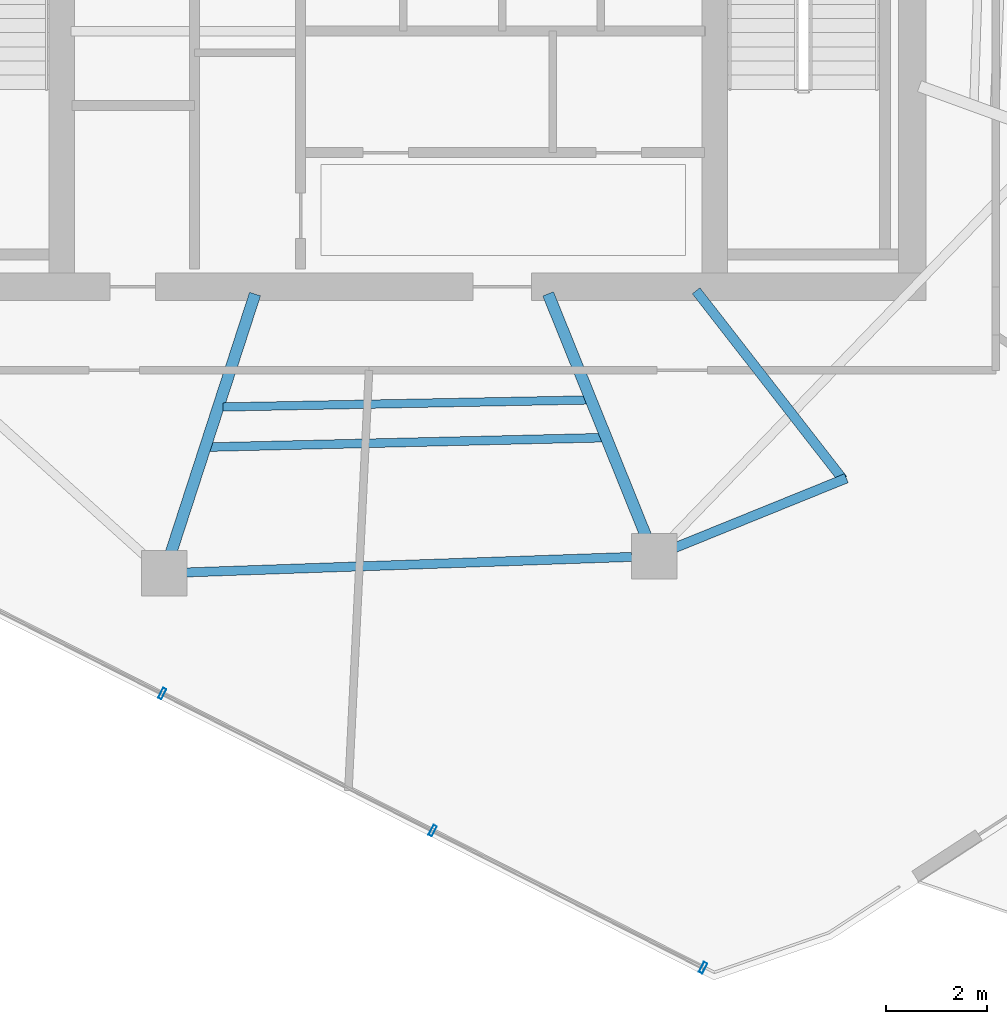
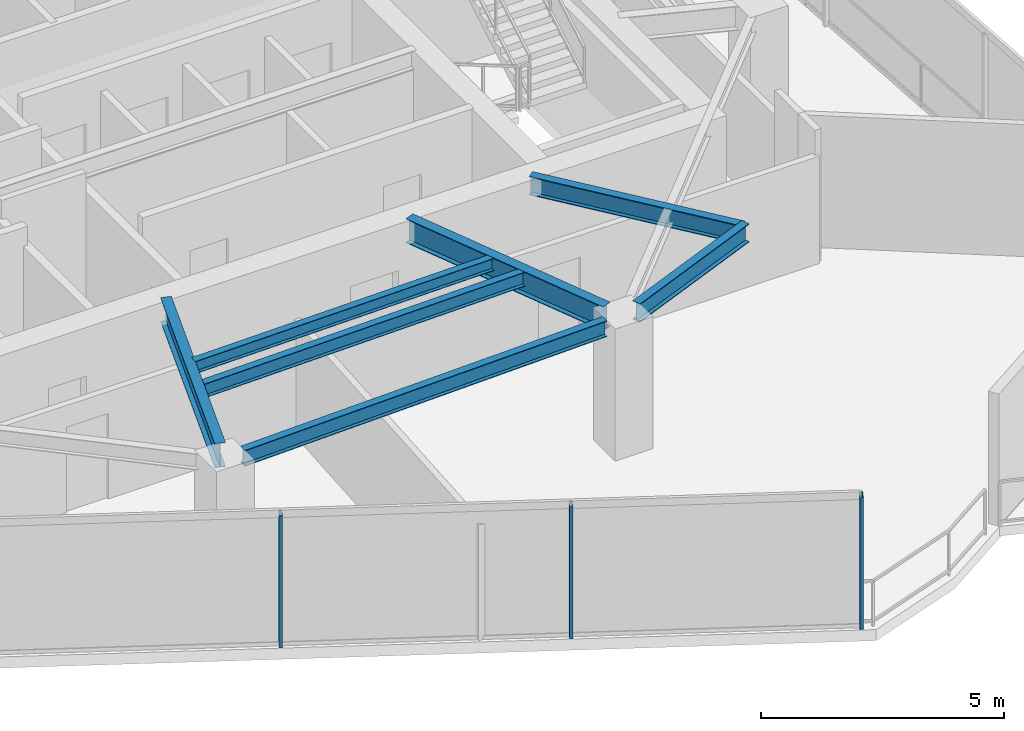
# One storey, part 3 of 18: 7 beams, 3 members, 1 element without a shape of its own.
"""IFC4 building model written with IfcOpenShell, lengths in metres."""

from ifc_helpers import new_model, si_unit, direction, frame, origin, origin_2d, place, context, subcontext, project, spatial, hollow_rectangle, i_section, extrude, material, layer, layer_set, material_profile, profile_set, type_object, element, aggregate, save


model = new_model("IFC4")

# Units and contexts
model_context = context("Model", 3, precision=1e-05, world=origin(), true_north=direction((0.0, 1.0)))
body_context = subcontext(model_context, "Body", "Model", "MODEL_VIEW")
ifc_project = project(units=[si_unit("LENGTHUNIT", "METRE"), si_unit("AREAUNIT", "SQUARE_METRE"), si_unit("VOLUMEUNIT", "CUBIC_METRE"), si_unit("PLANEANGLEUNIT", "RADIAN"), si_unit("MASSUNIT", "GRAM", prefix="KILO")], contexts=[model_context])

# Site, building, storey
site_placement = place(None, origin())
site = spatial("IfcSite", under=ifc_project, at=site_placement, CompositionType="ELEMENT")
building_placement = place(site_placement, origin())
building = spatial("IfcBuilding", under=site, at=building_placement, Name="Qarnah Convention Tower", CompositionType="ELEMENT")
storey_placement = place(building_placement, frame((0.0, 0.0, 191.39990234375)))
storey = spatial("IfcBuildingStorey", under=building, at=storey_placement, Name="L51", CompositionType="ELEMENT", Elevation=191.39990234375)

# Beams
ifc_material_1 = material(Name="Structural steel S355JR", Category="steel")
ifc_material_profile_1 = material_profile(ifc_material_1, i_section(OverallWidth=0.19189453125, OverallDepth=0.464111328125, WebThickness=0.010986328125, FlangeThickness=0.01806640625, at=origin_2d()), Name="W460X89")
ifc_profile_set_1 = profile_set([ifc_material_profile_1], Name="Structural steel S355JR")
beam_type_1 = type_object("IfcBeamType", Name="BM-CANT-W460A", PredefinedType="BEAM", material=ifc_profile_set_1)
beam_1_placement = place(storey_placement, frame((43.3310546875, 18.52099609375, 3.088134765625), z_axis=(0.614241094698, -0.789118417973, 0.0), x_axis=(0.789118417973, 0.614241094698, 0.0)))
element("IfcBeam", 1, at=beam_1_placement, inside=storey, type_object=beam_type_1, Name="L51 beam BM-L51-CNT-03-1", PredefinedType="BEAM", context=body_context, shape_type="SweptSolid", body=[
    extrude(i_section(OverallWidth=0.19189453125, OverallDepth=0.464111328125, WebThickness=0.010986328125, FlangeThickness=0.01806640625, at=origin_2d()), origin(), (0.0, 0.0, 1.0), 4.724365234375),
])
beam_2_placement = place(storey_placement, frame((46.298095703125, 14.819091796875, 3.088134765625), z_axis=(-0.926735498901, -0.375714406268, 0.0), x_axis=(0.375714406268, -0.926735498901, 0.0)))
element("IfcBeam", 2, at=beam_2_placement, inside=storey, type_object=beam_type_1, Name="L51 spandrel BM-L51-CTIE-03", PredefinedType="SPANDREL", context=body_context, shape_type="SweptSolid", body=[
    extrude(i_section(OverallWidth=0.19189453125, OverallDepth=0.464111328125, WebThickness=0.010986328125, FlangeThickness=0.01806640625, at=origin_2d()), origin(), (0.0, 0.0, 1.0), 3.656982421875),
])
ifc_material_profile_2 = material_profile(ifc_material_1, i_section(OverallWidth=0.166015625, OverallDepth=0.31201171875, WebThickness=0.007080078125, FlangeThickness=0.010986328125, at=origin_2d()), Name="W310X45")
ifc_profile_set_2 = profile_set([ifc_material_profile_2], Name="Structural steel S355JR")
beam_type_2 = type_object("IfcBeamType", Name="BM-JST-W310", PredefinedType="JOIST", material=ifc_profile_set_2)
beam_3_placement = place(storey_placement, frame((33.98291015625, 16.22607421875, 3.1640625), z_axis=(0.999815617166, 0.0192023871, 0.0), x_axis=(-0.0192023871, 0.999815617166, 0.0)))
element("IfcBeam", 3, at=beam_3_placement, inside=storey, type_object=beam_type_2, Name="L51 joist BM-L51-IJST-07", PredefinedType="JOIST", context=body_context, shape_type="SweptSolid", body=[
    extrude(i_section(OverallWidth=0.166015625, OverallDepth=0.31201171875, WebThickness=0.007080078125, FlangeThickness=0.010986328125, at=origin_2d()), origin(), (0.0, 0.0, 1.0), 7.183349609375),
])
ifc_material_profile_3 = material_profile(ifc_material_1, i_section(OverallWidth=0.172119140625, OverallDepth=0.35595703125, WebThickness=0.007080078125, FlangeThickness=0.011962890625, at=origin_2d()), Name="W360X51")
ifc_profile_set_3 = profile_set([ifc_material_profile_3], Name="Structural steel S355JR")
beam_type_3 = type_object("IfcBeamType", Name="BM-JST-W360", PredefinedType="JOIST", material=ifc_profile_set_3)
beam_4_placement = place(storey_placement, frame((33.72607421875, 15.43408203125, 3.14208984375), z_axis=(0.999714973703, 0.023874072844, 0.0), x_axis=(-0.023874072844, 0.999714973703, 0.0)))
element("IfcBeam", 4, at=beam_4_placement, inside=storey, type_object=beam_type_3, Name="L51 joist BM-L51-SJST-07", PredefinedType="JOIST", context=body_context, shape_type="SweptSolid", body=[
    extrude(i_section(OverallWidth=0.172119140625, OverallDepth=0.35595703125, WebThickness=0.007080078125, FlangeThickness=0.011962890625, at=origin_2d()), origin(), (0.0, 0.0, 1.0), 7.7412109375),
])
ifc_material_profile_4 = material_profile(ifc_material_1, i_section(OverallWidth=0.22802734375, OverallDepth=0.60791015625, WebThickness=0.010986328125, FlangeThickness=0.01708984375, at=origin_2d()), Name="W610X113")
ifc_profile_set_4 = profile_set([ifc_material_profile_4], Name="Structural steel S355JR")
beam_type_4 = type_object("IfcBeamType", Name="BM-RAD-W610B", PredefinedType="BEAM", material=ifc_profile_set_4)
beam_5_placement = place(storey_placement, frame((34.618896484375, 18.45703125, 3.01611328125), z_axis=(-0.309055218988, -0.951044095516, 0.0), x_axis=(0.951044095516, -0.309055218988, 0.0)))
element("IfcBeam", 5, at=beam_5_placement, inside=storey, type_object=beam_type_4, Name="L51 beam BM-L51-RAD-07", PredefinedType="BEAM", context=body_context, shape_type="SweptSolid", body=[
    extrude(i_section(OverallWidth=0.22802734375, OverallDepth=0.60791015625, WebThickness=0.010986328125, FlangeThickness=0.01708984375, at=origin_2d()), origin(), (0.0, 0.0, 1.0), 5.36767578125),
])
beam_6_placement = place(storey_placement, frame((40.407958984375, 18.4609375, 3.01611328125), z_axis=(0.374620360642, -0.927178292127, 0.0), x_axis=(0.927178292127, 0.374620360642, 0.0)))
element("IfcBeam", 6, at=beam_6_placement, inside=storey, type_object=beam_type_4, Name="L51 beam BM-L51-RAD-08", PredefinedType="BEAM", context=body_context, shape_type="SweptSolid", body=[
    extrude(i_section(OverallWidth=0.22802734375, OverallDepth=0.60791015625, WebThickness=0.010986328125, FlangeThickness=0.01708984375, at=origin_2d()), origin(), (0.0, 0.0, 1.0), 5.157470703125),
])
ifc_material_profile_5 = material_profile(ifc_material_1, i_section(OverallWidth=0.179931640625, OverallDepth=0.39990234375, WebThickness=0.009033203125, FlangeThickness=0.013916015625, at=origin_2d()), Name="IPE400")
ifc_profile_set_5 = profile_set([ifc_material_profile_5], Name="Structural steel S355JR")
beam_type_5 = type_object("IfcBeamType", Name="BM-SPN-IPE400", PredefinedType="SPANDREL", material=ifc_profile_set_5)
beam_7_placement = place(storey_placement, frame((33.26708984375, 12.9580078125, 3.1201171875), z_axis=(0.999391645542, 0.034876049374, 0.0), x_axis=(-0.034876049374, 0.999391645542, 0.0)))
element("IfcBeam", 7, at=beam_7_placement, inside=storey, type_object=beam_type_5, Name="L51 spandrel BM-L51-SPN-07", PredefinedType="SPANDREL", context=body_context, shape_type="SweptSolid", body=[
    extrude(i_section(OverallWidth=0.179931640625, OverallDepth=0.39990234375, WebThickness=0.009033203125, FlangeThickness=0.013916015625, at=origin_2d()), origin(), (0.0, 0.0, 1.0), 8.79931640625),
])

# Curtain wall, members
ifc_material_2 = material(Name="Tempered Low-E dark glass", Category="glass")
ifc_layer = layer(ifc_material_2, 0.174072265625)
ifc_layer_set = layer_set([ifc_layer], Name="Tempered Low-E dark glass")
curtain_wall_type = type_object("IfcCurtainWallType", Name="CWS-04", PredefinedType="NOTDEFINED", material=ifc_layer_set)
curtain_wall_placement = place(storey_placement, origin())
curtain_wall = element("IfcCurtainWall", 8, at=curtain_wall_placement, inside=storey, type_object=curtain_wall_type, Name="L51 unitised curtain wall CW-L51-F3", PredefinedType="NOTDEFINED")
ifc_material_3 = material(Name="Black anodised aluminium", Category="aluminium")
ifc_material_profile_6 = material_profile(ifc_material_3, hollow_rectangle(XDim=0.074951171875, YDim=0.219970703125, WallThickness=0.0048828125, at=origin_2d()), Name="MUL-75X220")
ifc_profile_set_6 = profile_set([ifc_material_profile_6], Name="Black anodised aluminium")
member_type = type_object("IfcMemberType", Name="MUL-T4", PredefinedType="MULLION", material=ifc_profile_set_6)
member_1_placement = place(storey_placement, frame((43.469970703125, 5.15087890625, 0.0), z_axis=(0.0, 0.0, 1.0), x_axis=(-0.891969347824, 0.4520958776, 0.0)))
member_1 = element("IfcMember", 9, at=member_1_placement, type_object=member_type, Name="CW-L51-F3 mullion 1", PredefinedType="MULLION", context=body_context, shape_type="SweptSolid", body=[
    extrude(hollow_rectangle(XDim=0.074951171875, YDim=0.219970703125, WallThickness=0.0048828125, at=origin_2d()), origin(), (0.0, 0.0, 1.0), 3.320068359375),
])
member_2_placement = place(storey_placement, frame((38.1279296875, 7.858642578125, 0.0), z_axis=(0.0, 0.0, 1.0), x_axis=(-0.891969347824, 0.4520958776, 0.0)))
member_2 = element("IfcMember", 10, at=member_2_placement, type_object=member_type, Name="CW-L51-F3 mullion 2", PredefinedType="MULLION", context=body_context, shape_type="SweptSolid", body=[
    extrude(hollow_rectangle(XDim=0.074951171875, YDim=0.219970703125, WallThickness=0.0048828125, at=origin_2d()), origin(), (0.0, 0.0, 1.0), 3.320068359375),
])
member_3_placement = place(storey_placement, frame((32.785888671875, 10.566162109375, 0.0), z_axis=(0.0, 0.0, 1.0), x_axis=(-0.891969347824, 0.4520958776, 0.0)))
member_3 = element("IfcMember", 11, at=member_3_placement, type_object=member_type, Name="CW-L51-F3 mullion 3", PredefinedType="MULLION", context=body_context, shape_type="SweptSolid", body=[
    extrude(hollow_rectangle(XDim=0.074951171875, YDim=0.219970703125, WallThickness=0.0048828125, at=origin_2d()), origin(), (0.0, 0.0, 1.0), 3.320068359375),
])
aggregate(curtain_wall, [member_1, member_2, member_3])

save(model, "model.ifc")
